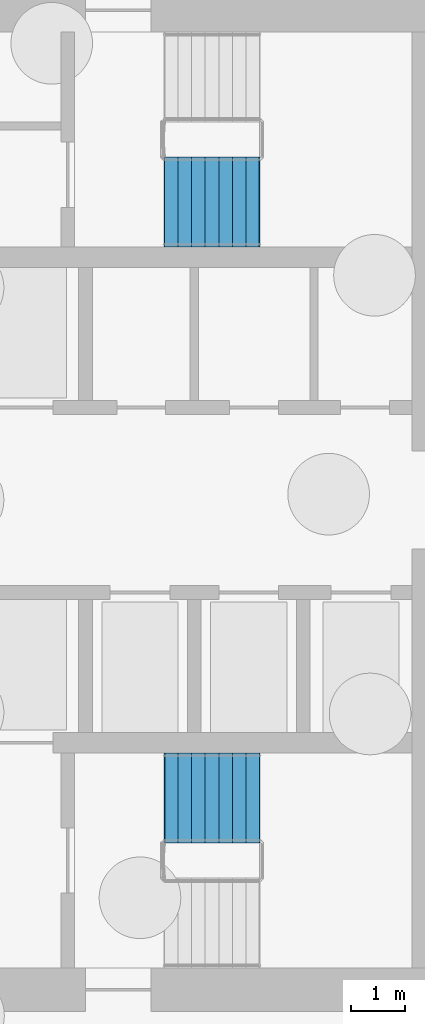
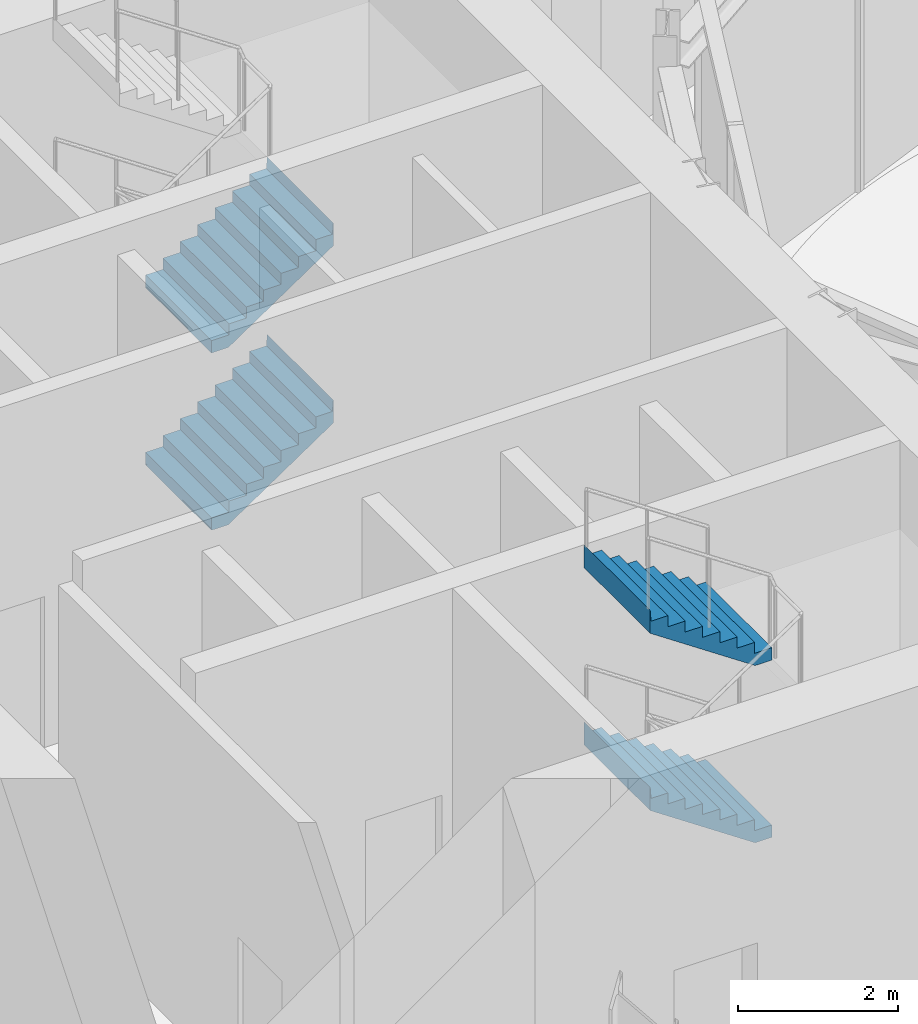
# One storey, part 33 of 41: 4 stair flights, 2 elements without a shape of their own.
"""IFC4 building model written with IfcOpenShell, lengths in metres."""

from ifc_helpers import new_model, si_unit, direction, frame, origin, place, context, subcontext, project, spatial, triangles, material, type_object, element, aggregate, save


model = new_model("IFC4")

# Units and contexts
model_context = context("Model", 3, precision=1e-05, world=origin(), true_north=direction((0.0, 1.0)))
body_context = subcontext(model_context, "Body", "Model", "MODEL_VIEW")
ifc_project = project(units=[si_unit("LENGTHUNIT", "METRE"), si_unit("AREAUNIT", "SQUARE_METRE"), si_unit("VOLUMEUNIT", "CUBIC_METRE"), si_unit("PLANEANGLEUNIT", "RADIAN"), si_unit("MASSUNIT", "GRAM", prefix="KILO")], contexts=[model_context])

# Site, building, storey
site_placement = place(None, origin())
site = spatial("IfcSite", under=ifc_project, at=site_placement, CompositionType="ELEMENT")
building_placement = place(site_placement, origin())
building = spatial("IfcBuilding", under=site, at=building_placement, Name="Maasbend Ring Residences", CompositionType="ELEMENT")
storey_placement = place(building_placement, origin())
storey = spatial("IfcBuildingStorey", under=building, at=storey_placement, Name="L00", CompositionType="ELEMENT", Elevation=0.0)

# Stair, stair flights
ifc_material_1 = material(Name="Concrete C40/50", Category="concrete")
stair_type = type_object("IfcStairType", Name="CORE STAIR 32 RISERS", PredefinedType="HALF_TURN_STAIR", material=ifc_material_1)
stair_1_placement = place(storey_placement, origin())
stair_1 = element("IfcStair", 1, at=stair_1_placement, inside=storey, type_object=stair_type, Name="L00 Exit stair ST-W1", PredefinedType="HALF_TURN_STAIR")
ifc_material_2 = material(Name="Concrete C40/50", Category="concrete")
stair_flight_type = type_object("IfcStairFlightType", Name="CORE STAIR FLIGHT 1650", PredefinedType="STRAIGHT", material=ifc_material_2)
stair_flight_1_placement = place(storey_placement, frame((-11.800048828125, -5.47509765625, 1.35009765625), z_axis=(0.0, 0.0, 1.0), x_axis=(-1.0, 0.0, 0.0)))
stair_flight_1 = element("IfcStairFlight", 2, at=stair_flight_1_placement, type_object=stair_flight_type, Name="ST-W1 flight 2", NumberOfRisers=8, NumberOfTreads=7, PredefinedType="STRAIGHT", RiserHeight=0.16875, TreadLength=0.25, context=body_context, shape_type="Tessellation", body=[
    triangles([(0.2412109375, 0.824951171875, -0.02001953125), (1.7529296875, 0.824951171875, 1.00048828125), (1.7529296875, 0.824951171875, 1.35009765625), (1.739990234375, 0.824951171875, 1.18115234375), (1.5, 0.824951171875, 1.18115234375), (1.5, 0.824951171875, 1.012451171875), (1.25, 0.824951171875, 1.012451171875), (1.25, 0.824951171875, 0.84375), (1.0, 0.824951171875, 0.84375), (1.0, 0.824951171875, 0.675048828125), (0.75, 0.824951171875, 0.675048828125), (0.75, 0.824951171875, 0.50634765625), (0.5, 0.824951171875, 0.50634765625), (0.5, 0.824951171875, 0.33740234375), (0.25, 0.824951171875, 0.33740234375), (0.25, 0.824951171875, 0.168701171875), (0.0, 0.824951171875, 0.168701171875), (0.0, 0.824951171875, 0.0), (-0.0029296875, 0.824951171875, 0.0), (-0.0029296875, 0.824951171875, -0.02001953125), (0.2412109375, 0.41259765625, -0.02001953125), (1.7529296875, 0.41259765625, 1.00048828125), (1.7529296875, 0.41259765625, 1.35009765625), (1.739990234375, 0.41259765625, 1.18115234375), (1.5, 0.41259765625, 1.18115234375), (1.5, 0.41259765625, 1.012451171875), (1.25, 0.41259765625, 1.012451171875), (1.25, 0.41259765625, 0.84375), (1.0, 0.41259765625, 0.84375), (1.0, 0.41259765625, 0.675048828125), (0.75, 0.41259765625, 0.675048828125), (0.75, 0.41259765625, 0.50634765625), (0.5, 0.41259765625, 0.50634765625), (0.5, 0.41259765625, 0.33740234375), (0.25, 0.41259765625, 0.33740234375), (0.25, 0.41259765625, 0.168701171875), (0.0, 0.41259765625, 0.168701171875), (0.0, 0.41259765625, 0.0), (-0.0029296875, 0.41259765625, 0.0), (-0.0029296875, 0.41259765625, -0.02001953125), (0.2412109375, 0.0, -0.02001953125), (1.7529296875, 0.0, 1.00048828125), (1.7529296875, 0.0, 1.35009765625), (1.739990234375, 0.0, 1.18115234375), (1.5, 0.0, 1.18115234375), (1.5, 0.0, 1.012451171875), (1.25, 0.0, 1.012451171875), (1.25, 0.0, 0.84375), (1.0, 0.0, 0.84375), (1.0, 0.0, 0.675048828125), (0.75, 0.0, 0.675048828125), (0.75, 0.0, 0.50634765625), (0.5, 0.0, 0.50634765625), (0.5, 0.0, 0.33740234375), (0.25, 0.0, 0.33740234375), (0.25, 0.0, 0.168701171875), (0.0, 0.0, 0.168701171875), (0.0, 0.0, 0.0), (-0.0029296875, 0.0, 0.0), (-0.0029296875, 0.0, -0.02001953125), (0.2412109375, -0.41259765625, -0.02001953125), (1.7529296875, -0.41259765625, 1.00048828125), (1.7529296875, -0.41259765625, 1.35009765625), (1.739990234375, -0.41259765625, 1.18115234375), (1.5, -0.41259765625, 1.18115234375), (1.5, -0.41259765625, 1.012451171875), (1.25, -0.41259765625, 1.012451171875), (1.25, -0.41259765625, 0.84375), (1.0, -0.41259765625, 0.84375), (1.0, -0.41259765625, 0.675048828125), (0.75, -0.41259765625, 0.675048828125), (0.75, -0.41259765625, 0.50634765625), (0.5, -0.41259765625, 0.50634765625), (0.5, -0.41259765625, 0.33740234375), (0.25, -0.41259765625, 0.33740234375), (0.25, -0.41259765625, 0.168701171875), (0.0, -0.41259765625, 0.168701171875), (0.0, -0.41259765625, 0.0), (-0.0029296875, -0.41259765625, 0.0), (-0.0029296875, -0.41259765625, -0.02001953125), (0.2412109375, -0.824951171875, -0.02001953125), (1.7529296875, -0.824951171875, 1.00048828125), (1.7529296875, -0.824951171875, 1.35009765625), (1.739990234375, -0.824951171875, 1.18115234375), (1.5, -0.824951171875, 1.18115234375), (1.5, -0.824951171875, 1.012451171875), (1.25, -0.824951171875, 1.012451171875), (1.25, -0.824951171875, 0.84375), (1.0, -0.824951171875, 0.84375), (1.0, -0.824951171875, 0.675048828125), (0.75, -0.824951171875, 0.675048828125), (0.75, -0.824951171875, 0.50634765625), (0.5, -0.824951171875, 0.50634765625), (0.5, -0.824951171875, 0.33740234375), (0.25, -0.824951171875, 0.33740234375), (0.25, -0.824951171875, 0.168701171875), (0.0, -0.824951171875, 0.168701171875), (0.0, -0.824951171875, 0.0), (-0.0029296875, -0.824951171875, 0.0), (-0.0029296875, -0.824951171875, -0.02001953125)], [[1, 2, 22], [1, 22, 21], [21, 22, 42], [21, 42, 41], [41, 42, 62], [41, 62, 61], [61, 62, 82], [61, 82, 81], [2, 3, 23], [2, 23, 22], [22, 23, 43], [22, 43, 42], [42, 43, 63], [42, 63, 62], [62, 63, 83], [62, 83, 82], [3, 4, 24], [3, 24, 23], [23, 24, 44], [23, 44, 43], [43, 44, 64], [43, 64, 63], [63, 64, 84], [63, 84, 83], [4, 5, 25], [4, 25, 24], [24, 25, 45], [24, 45, 44], [44, 45, 65], [44, 65, 64], [64, 65, 85], [64, 85, 84], [5, 6, 26], [5, 26, 25], [25, 26, 46], [25, 46, 45], [45, 46, 66], [45, 66, 65], [65, 66, 86], [65, 86, 85], [6, 7, 27], [6, 27, 26], [26, 27, 47], [26, 47, 46], [46, 47, 67], [46, 67, 66], [66, 67, 87], [66, 87, 86], [7, 8, 28], [7, 28, 27], [27, 28, 48], [27, 48, 47], [47, 48, 68], [47, 68, 67], [67, 68, 88], [67, 88, 87], [8, 9, 29], [8, 29, 28], [28, 29, 49], [28, 49, 48], [48, 49, 69], [48, 69, 68], [68, 69, 89], [68, 89, 88], [9, 10, 30], [9, 30, 29], [29, 30, 50], [29, 50, 49], [49, 50, 70], [49, 70, 69], [69, 70, 90], [69, 90, 89], [10, 11, 31], [10, 31, 30], [30, 31, 51], [30, 51, 50], [50, 51, 71], [50, 71, 70], [70, 71, 91], [70, 91, 90], [11, 12, 32], [11, 32, 31], [31, 32, 52], [31, 52, 51], [51, 52, 72], [51, 72, 71], [71, 72, 92], [71, 92, 91], [12, 13, 33], [12, 33, 32], [32, 33, 53], [32, 53, 52], [52, 53, 73], [52, 73, 72], [72, 73, 93], [72, 93, 92], [13, 14, 34], [13, 34, 33], [33, 34, 54], [33, 54, 53], [53, 54, 74], [53, 74, 73], [73, 74, 94], [73, 94, 93], [14, 15, 35], [14, 35, 34], [34, 35, 55], [34, 55, 54], [54, 55, 75], [54, 75, 74], [74, 75, 95], [74, 95, 94], [15, 16, 36], [15, 36, 35], [35, 36, 56], [35, 56, 55], [55, 56, 76], [55, 76, 75], [75, 76, 96], [75, 96, 95], [16, 17, 37], [16, 37, 36], [36, 37, 57], [36, 57, 56], [56, 57, 77], [56, 77, 76], [76, 77, 97], [76, 97, 96], [17, 18, 38], [17, 38, 37], [37, 38, 58], [37, 58, 57], [57, 58, 78], [57, 78, 77], [77, 78, 98], [77, 98, 97], [18, 19, 39], [18, 39, 38], [38, 39, 59], [38, 59, 58], [58, 59, 79], [58, 79, 78], [78, 79, 99], [78, 99, 98], [19, 20, 40], [19, 40, 39], [39, 40, 60], [39, 60, 59], [59, 60, 80], [59, 80, 79], [79, 80, 100], [79, 100, 99], [20, 1, 21], [20, 21, 40], [40, 21, 41], [40, 41, 60], [60, 41, 61], [60, 61, 80], [80, 61, 81], [80, 81, 100], [20, 2, 1], [2, 4, 3], [2, 5, 4], [2, 6, 5], [20, 6, 2], [6, 8, 7], [20, 8, 6], [8, 10, 9], [20, 10, 8], [10, 12, 11], [20, 12, 10], [12, 14, 13], [20, 14, 12], [14, 16, 15], [20, 16, 14], [16, 18, 17], [20, 18, 16], [18, 20, 19], [100, 81, 82], [82, 83, 84], [82, 84, 85], [82, 85, 86], [100, 82, 86], [86, 87, 88], [100, 86, 88], [88, 89, 90], [100, 88, 90], [90, 91, 92], [100, 90, 92], [92, 93, 94], [100, 92, 94], [94, 95, 96], [100, 94, 96], [96, 97, 98], [100, 96, 98], [98, 99, 100]], closed=True),
])
stair_flight_2_placement = place(storey_placement, frame((-11.800048828125, -5.47509765625, 4.050048828125), z_axis=(0.0, 0.0, 1.0), x_axis=(-1.0, 0.0, 0.0)))
stair_flight_2 = element("IfcStairFlight", 3, at=stair_flight_2_placement, type_object=stair_flight_type, Name="ST-W1 flight 4", NumberOfRisers=8, NumberOfTreads=7, PredefinedType="STRAIGHT", RiserHeight=0.16875, TreadLength=0.25, context=body_context, shape_type="Tessellation", body=[
    triangles([(0.2412109375, 0.824951171875, -0.02001953125), (1.7529296875, 0.824951171875, 1.00048828125), (1.7529296875, 0.824951171875, 1.35009765625), (1.739990234375, 0.824951171875, 1.18115234375), (1.5, 0.824951171875, 1.18115234375), (1.5, 0.824951171875, 1.012451171875), (1.25, 0.824951171875, 1.012451171875), (1.25, 0.824951171875, 0.84375), (1.0, 0.824951171875, 0.84375), (1.0, 0.824951171875, 0.675048828125), (0.75, 0.824951171875, 0.675048828125), (0.75, 0.824951171875, 0.50634765625), (0.5, 0.824951171875, 0.50634765625), (0.5, 0.824951171875, 0.33740234375), (0.25, 0.824951171875, 0.33740234375), (0.25, 0.824951171875, 0.168701171875), (0.0, 0.824951171875, 0.168701171875), (0.0, 0.824951171875, 0.0), (-0.0029296875, 0.824951171875, 0.0), (-0.0029296875, 0.824951171875, -0.02001953125), (0.2412109375, 0.41259765625, -0.02001953125), (1.7529296875, 0.41259765625, 1.00048828125), (1.7529296875, 0.41259765625, 1.35009765625), (1.739990234375, 0.41259765625, 1.18115234375), (1.5, 0.41259765625, 1.18115234375), (1.5, 0.41259765625, 1.012451171875), (1.25, 0.41259765625, 1.012451171875), (1.25, 0.41259765625, 0.84375), (1.0, 0.41259765625, 0.84375), (1.0, 0.41259765625, 0.675048828125), (0.75, 0.41259765625, 0.675048828125), (0.75, 0.41259765625, 0.50634765625), (0.5, 0.41259765625, 0.50634765625), (0.5, 0.41259765625, 0.33740234375), (0.25, 0.41259765625, 0.33740234375), (0.25, 0.41259765625, 0.168701171875), (0.0, 0.41259765625, 0.168701171875), (0.0, 0.41259765625, 0.0), (-0.0029296875, 0.41259765625, 0.0), (-0.0029296875, 0.41259765625, -0.02001953125), (0.2412109375, 0.0, -0.02001953125), (1.7529296875, 0.0, 1.00048828125), (1.7529296875, 0.0, 1.35009765625), (1.739990234375, 0.0, 1.18115234375), (1.5, 0.0, 1.18115234375), (1.5, 0.0, 1.012451171875), (1.25, 0.0, 1.012451171875), (1.25, 0.0, 0.84375), (1.0, 0.0, 0.84375), (1.0, 0.0, 0.675048828125), (0.75, 0.0, 0.675048828125), (0.75, 0.0, 0.50634765625), (0.5, 0.0, 0.50634765625), (0.5, 0.0, 0.33740234375), (0.25, 0.0, 0.33740234375), (0.25, 0.0, 0.168701171875), (0.0, 0.0, 0.168701171875), (0.0, 0.0, 0.0), (-0.0029296875, 0.0, 0.0), (-0.0029296875, 0.0, -0.02001953125), (0.2412109375, -0.41259765625, -0.02001953125), (1.7529296875, -0.41259765625, 1.00048828125), (1.7529296875, -0.41259765625, 1.35009765625), (1.739990234375, -0.41259765625, 1.18115234375), (1.5, -0.41259765625, 1.18115234375), (1.5, -0.41259765625, 1.012451171875), (1.25, -0.41259765625, 1.012451171875), (1.25, -0.41259765625, 0.84375), (1.0, -0.41259765625, 0.84375), (1.0, -0.41259765625, 0.675048828125), (0.75, -0.41259765625, 0.675048828125), (0.75, -0.41259765625, 0.50634765625), (0.5, -0.41259765625, 0.50634765625), (0.5, -0.41259765625, 0.33740234375), (0.25, -0.41259765625, 0.33740234375), (0.25, -0.41259765625, 0.168701171875), (0.0, -0.41259765625, 0.168701171875), (0.0, -0.41259765625, 0.0), (-0.0029296875, -0.41259765625, 0.0), (-0.0029296875, -0.41259765625, -0.02001953125), (0.2412109375, -0.824951171875, -0.02001953125), (1.7529296875, -0.824951171875, 1.00048828125), (1.7529296875, -0.824951171875, 1.35009765625), (1.739990234375, -0.824951171875, 1.18115234375), (1.5, -0.824951171875, 1.18115234375), (1.5, -0.824951171875, 1.012451171875), (1.25, -0.824951171875, 1.012451171875), (1.25, -0.824951171875, 0.84375), (1.0, -0.824951171875, 0.84375), (1.0, -0.824951171875, 0.675048828125), (0.75, -0.824951171875, 0.675048828125), (0.75, -0.824951171875, 0.50634765625), (0.5, -0.824951171875, 0.50634765625), (0.5, -0.824951171875, 0.33740234375), (0.25, -0.824951171875, 0.33740234375), (0.25, -0.824951171875, 0.168701171875), (0.0, -0.824951171875, 0.168701171875), (0.0, -0.824951171875, 0.0), (-0.0029296875, -0.824951171875, 0.0), (-0.0029296875, -0.824951171875, -0.02001953125)], [[1, 2, 22], [1, 22, 21], [21, 22, 42], [21, 42, 41], [41, 42, 62], [41, 62, 61], [61, 62, 82], [61, 82, 81], [2, 3, 23], [2, 23, 22], [22, 23, 43], [22, 43, 42], [42, 43, 63], [42, 63, 62], [62, 63, 83], [62, 83, 82], [3, 4, 24], [3, 24, 23], [23, 24, 44], [23, 44, 43], [43, 44, 64], [43, 64, 63], [63, 64, 84], [63, 84, 83], [4, 5, 25], [4, 25, 24], [24, 25, 45], [24, 45, 44], [44, 45, 65], [44, 65, 64], [64, 65, 85], [64, 85, 84], [5, 6, 26], [5, 26, 25], [25, 26, 46], [25, 46, 45], [45, 46, 66], [45, 66, 65], [65, 66, 86], [65, 86, 85], [6, 7, 27], [6, 27, 26], [26, 27, 47], [26, 47, 46], [46, 47, 67], [46, 67, 66], [66, 67, 87], [66, 87, 86], [7, 8, 28], [7, 28, 27], [27, 28, 48], [27, 48, 47], [47, 48, 68], [47, 68, 67], [67, 68, 88], [67, 88, 87], [8, 9, 29], [8, 29, 28], [28, 29, 49], [28, 49, 48], [48, 49, 69], [48, 69, 68], [68, 69, 89], [68, 89, 88], [9, 10, 30], [9, 30, 29], [29, 30, 50], [29, 50, 49], [49, 50, 70], [49, 70, 69], [69, 70, 90], [69, 90, 89], [10, 11, 31], [10, 31, 30], [30, 31, 51], [30, 51, 50], [50, 51, 71], [50, 71, 70], [70, 71, 91], [70, 91, 90], [11, 12, 32], [11, 32, 31], [31, 32, 52], [31, 52, 51], [51, 52, 72], [51, 72, 71], [71, 72, 92], [71, 92, 91], [12, 13, 33], [12, 33, 32], [32, 33, 53], [32, 53, 52], [52, 53, 73], [52, 73, 72], [72, 73, 93], [72, 93, 92], [13, 14, 34], [13, 34, 33], [33, 34, 54], [33, 54, 53], [53, 54, 74], [53, 74, 73], [73, 74, 94], [73, 94, 93], [14, 15, 35], [14, 35, 34], [34, 35, 55], [34, 55, 54], [54, 55, 75], [54, 75, 74], [74, 75, 95], [74, 95, 94], [15, 16, 36], [15, 36, 35], [35, 36, 56], [35, 56, 55], [55, 56, 76], [55, 76, 75], [75, 76, 96], [75, 96, 95], [16, 17, 37], [16, 37, 36], [36, 37, 57], [36, 57, 56], [56, 57, 77], [56, 77, 76], [76, 77, 97], [76, 97, 96], [17, 18, 38], [17, 38, 37], [37, 38, 58], [37, 58, 57], [57, 58, 78], [57, 78, 77], [77, 78, 98], [77, 98, 97], [18, 19, 39], [18, 39, 38], [38, 39, 59], [38, 59, 58], [58, 59, 79], [58, 79, 78], [78, 79, 99], [78, 99, 98], [19, 20, 40], [19, 40, 39], [39, 40, 60], [39, 60, 59], [59, 60, 80], [59, 80, 79], [79, 80, 100], [79, 100, 99], [20, 1, 21], [20, 21, 40], [40, 21, 41], [40, 41, 60], [60, 41, 61], [60, 61, 80], [80, 61, 81], [80, 81, 100], [20, 2, 1], [2, 4, 3], [2, 5, 4], [2, 6, 5], [20, 6, 2], [6, 8, 7], [20, 8, 6], [8, 10, 9], [20, 10, 8], [10, 12, 11], [20, 12, 10], [12, 14, 13], [20, 14, 12], [14, 16, 15], [20, 16, 14], [16, 18, 17], [20, 18, 16], [18, 20, 19], [100, 81, 82], [82, 83, 84], [82, 84, 85], [82, 85, 86], [100, 82, 86], [86, 87, 88], [100, 86, 88], [88, 89, 90], [100, 88, 90], [90, 91, 92], [100, 90, 92], [92, 93, 94], [100, 92, 94], [94, 95, 96], [100, 94, 96], [96, 97, 98], [100, 96, 98], [98, 99, 100]], closed=True),
])
aggregate(stair_1, [stair_flight_1, stair_flight_2])

stair_2_placement = place(storey_placement, origin())
stair_2 = element("IfcStair", 4, at=stair_2_placement, inside=storey, type_object=stair_type, Name="L00 Exit stair ST-W2", PredefinedType="HALF_TURN_STAIR")
stair_flight_3_placement = place(storey_placement, frame((-13.550048828125, 5.47509765625, 0.0), z_axis=(0.0, 0.0, 1.0), x_axis=(1.0, 0.0, 0.0)))
stair_flight_3 = element("IfcStairFlight", 5, at=stair_flight_3_placement, type_object=stair_flight_type, Name="ST-W2 flight 1", NumberOfRisers=8, NumberOfTreads=7, PredefinedType="STRAIGHT", RiserHeight=0.16875, TreadLength=0.25, context=body_context, shape_type="Tessellation", body=[
    triangles([(0.2412109375, 0.824951171875, -0.02001953125), (1.7529296875, 0.824951171875, 1.00048828125), (1.7529296875, 0.824951171875, 1.35009765625), (1.739990234375, 0.824951171875, 1.18115234375), (1.5, 0.824951171875, 1.18115234375), (1.5, 0.824951171875, 1.012451171875), (1.25, 0.824951171875, 1.012451171875), (1.25, 0.824951171875, 0.84375), (1.0, 0.824951171875, 0.84375), (1.0, 0.824951171875, 0.675048828125), (0.75, 0.824951171875, 0.675048828125), (0.75, 0.824951171875, 0.50634765625), (0.5, 0.824951171875, 0.50634765625), (0.5, 0.824951171875, 0.33740234375), (0.25, 0.824951171875, 0.33740234375), (0.25, 0.824951171875, 0.168701171875), (0.0, 0.824951171875, 0.168701171875), (0.0, 0.824951171875, 0.0), (-0.0029296875, 0.824951171875, 0.0), (-0.0029296875, 0.824951171875, -0.02001953125), (0.2412109375, 0.41259765625, -0.02001953125), (1.7529296875, 0.41259765625, 1.00048828125), (1.7529296875, 0.41259765625, 1.35009765625), (1.739990234375, 0.41259765625, 1.18115234375), (1.5, 0.41259765625, 1.18115234375), (1.5, 0.41259765625, 1.012451171875), (1.25, 0.41259765625, 1.012451171875), (1.25, 0.41259765625, 0.84375), (1.0, 0.41259765625, 0.84375), (1.0, 0.41259765625, 0.675048828125), (0.75, 0.41259765625, 0.675048828125), (0.75, 0.41259765625, 0.50634765625), (0.5, 0.41259765625, 0.50634765625), (0.5, 0.41259765625, 0.33740234375), (0.25, 0.41259765625, 0.33740234375), (0.25, 0.41259765625, 0.168701171875), (0.0, 0.41259765625, 0.168701171875), (0.0, 0.41259765625, 0.0), (-0.0029296875, 0.41259765625, 0.0), (-0.0029296875, 0.41259765625, -0.02001953125), (0.2412109375, 0.0, -0.02001953125), (1.7529296875, 0.0, 1.00048828125), (1.7529296875, 0.0, 1.35009765625), (1.739990234375, 0.0, 1.18115234375), (1.5, 0.0, 1.18115234375), (1.5, 0.0, 1.012451171875), (1.25, 0.0, 1.012451171875), (1.25, 0.0, 0.84375), (1.0, 0.0, 0.84375), (1.0, 0.0, 0.675048828125), (0.75, 0.0, 0.675048828125), (0.75, 0.0, 0.50634765625), (0.5, 0.0, 0.50634765625), (0.5, 0.0, 0.33740234375), (0.25, 0.0, 0.33740234375), (0.25, 0.0, 0.168701171875), (0.0, 0.0, 0.168701171875), (0.0, 0.0, 0.0), (-0.0029296875, 0.0, 0.0), (-0.0029296875, 0.0, -0.02001953125), (0.2412109375, -0.41259765625, -0.02001953125), (1.7529296875, -0.41259765625, 1.00048828125), (1.7529296875, -0.41259765625, 1.35009765625), (1.739990234375, -0.41259765625, 1.18115234375), (1.5, -0.41259765625, 1.18115234375), (1.5, -0.41259765625, 1.012451171875), (1.25, -0.41259765625, 1.012451171875), (1.25, -0.41259765625, 0.84375), (1.0, -0.41259765625, 0.84375), (1.0, -0.41259765625, 0.675048828125), (0.75, -0.41259765625, 0.675048828125), (0.75, -0.41259765625, 0.50634765625), (0.5, -0.41259765625, 0.50634765625), (0.5, -0.41259765625, 0.33740234375), (0.25, -0.41259765625, 0.33740234375), (0.25, -0.41259765625, 0.168701171875), (0.0, -0.41259765625, 0.168701171875), (0.0, -0.41259765625, 0.0), (-0.0029296875, -0.41259765625, 0.0), (-0.0029296875, -0.41259765625, -0.02001953125), (0.2412109375, -0.824951171875, -0.02001953125), (1.7529296875, -0.824951171875, 1.00048828125), (1.7529296875, -0.824951171875, 1.35009765625), (1.739990234375, -0.824951171875, 1.18115234375), (1.5, -0.824951171875, 1.18115234375), (1.5, -0.824951171875, 1.012451171875), (1.25, -0.824951171875, 1.012451171875), (1.25, -0.824951171875, 0.84375), (1.0, -0.824951171875, 0.84375), (1.0, -0.824951171875, 0.675048828125), (0.75, -0.824951171875, 0.675048828125), (0.75, -0.824951171875, 0.50634765625), (0.5, -0.824951171875, 0.50634765625), (0.5, -0.824951171875, 0.33740234375), (0.25, -0.824951171875, 0.33740234375), (0.25, -0.824951171875, 0.168701171875), (0.0, -0.824951171875, 0.168701171875), (0.0, -0.824951171875, 0.0), (-0.0029296875, -0.824951171875, 0.0), (-0.0029296875, -0.824951171875, -0.02001953125)], [[1, 2, 22], [1, 22, 21], [21, 22, 42], [21, 42, 41], [41, 42, 62], [41, 62, 61], [61, 62, 82], [61, 82, 81], [2, 3, 23], [2, 23, 22], [22, 23, 43], [22, 43, 42], [42, 43, 63], [42, 63, 62], [62, 63, 83], [62, 83, 82], [3, 4, 24], [3, 24, 23], [23, 24, 44], [23, 44, 43], [43, 44, 64], [43, 64, 63], [63, 64, 84], [63, 84, 83], [4, 5, 25], [4, 25, 24], [24, 25, 45], [24, 45, 44], [44, 45, 65], [44, 65, 64], [64, 65, 85], [64, 85, 84], [5, 6, 26], [5, 26, 25], [25, 26, 46], [25, 46, 45], [45, 46, 66], [45, 66, 65], [65, 66, 86], [65, 86, 85], [6, 7, 27], [6, 27, 26], [26, 27, 47], [26, 47, 46], [46, 47, 67], [46, 67, 66], [66, 67, 87], [66, 87, 86], [7, 8, 28], [7, 28, 27], [27, 28, 48], [27, 48, 47], [47, 48, 68], [47, 68, 67], [67, 68, 88], [67, 88, 87], [8, 9, 29], [8, 29, 28], [28, 29, 49], [28, 49, 48], [48, 49, 69], [48, 69, 68], [68, 69, 89], [68, 89, 88], [9, 10, 30], [9, 30, 29], [29, 30, 50], [29, 50, 49], [49, 50, 70], [49, 70, 69], [69, 70, 90], [69, 90, 89], [10, 11, 31], [10, 31, 30], [30, 31, 51], [30, 51, 50], [50, 51, 71], [50, 71, 70], [70, 71, 91], [70, 91, 90], [11, 12, 32], [11, 32, 31], [31, 32, 52], [31, 52, 51], [51, 52, 72], [51, 72, 71], [71, 72, 92], [71, 92, 91], [12, 13, 33], [12, 33, 32], [32, 33, 53], [32, 53, 52], [52, 53, 73], [52, 73, 72], [72, 73, 93], [72, 93, 92], [13, 14, 34], [13, 34, 33], [33, 34, 54], [33, 54, 53], [53, 54, 74], [53, 74, 73], [73, 74, 94], [73, 94, 93], [14, 15, 35], [14, 35, 34], [34, 35, 55], [34, 55, 54], [54, 55, 75], [54, 75, 74], [74, 75, 95], [74, 95, 94], [15, 16, 36], [15, 36, 35], [35, 36, 56], [35, 56, 55], [55, 56, 76], [55, 76, 75], [75, 76, 96], [75, 96, 95], [16, 17, 37], [16, 37, 36], [36, 37, 57], [36, 57, 56], [56, 57, 77], [56, 77, 76], [76, 77, 97], [76, 97, 96], [17, 18, 38], [17, 38, 37], [37, 38, 58], [37, 58, 57], [57, 58, 78], [57, 78, 77], [77, 78, 98], [77, 98, 97], [18, 19, 39], [18, 39, 38], [38, 39, 59], [38, 59, 58], [58, 59, 79], [58, 79, 78], [78, 79, 99], [78, 99, 98], [19, 20, 40], [19, 40, 39], [39, 40, 60], [39, 60, 59], [59, 60, 80], [59, 80, 79], [79, 80, 100], [79, 100, 99], [20, 1, 21], [20, 21, 40], [40, 21, 41], [40, 41, 60], [60, 41, 61], [60, 61, 80], [80, 61, 81], [80, 81, 100], [20, 2, 1], [2, 4, 3], [2, 5, 4], [2, 6, 5], [20, 6, 2], [6, 8, 7], [20, 8, 6], [8, 10, 9], [20, 10, 8], [10, 12, 11], [20, 12, 10], [12, 14, 13], [20, 14, 12], [14, 16, 15], [20, 16, 14], [16, 18, 17], [20, 18, 16], [18, 20, 19], [100, 81, 82], [82, 83, 84], [82, 84, 85], [82, 85, 86], [100, 82, 86], [86, 87, 88], [100, 86, 88], [88, 89, 90], [100, 88, 90], [90, 91, 92], [100, 90, 92], [92, 93, 94], [100, 92, 94], [94, 95, 96], [100, 94, 96], [96, 97, 98], [100, 96, 98], [98, 99, 100]], closed=True),
])
stair_flight_4_placement = place(storey_placement, frame((-13.550048828125, 5.47509765625, 2.699951171875), z_axis=(0.0, 0.0, 1.0), x_axis=(1.0, 0.0, 0.0)))
stair_flight_4 = element("IfcStairFlight", 6, at=stair_flight_4_placement, type_object=stair_flight_type, Name="ST-W2 flight 3", NumberOfRisers=8, NumberOfTreads=7, PredefinedType="STRAIGHT", RiserHeight=0.16875, TreadLength=0.25, context=body_context, shape_type="Tessellation", body=[
    triangles([(0.2412109375, 0.824951171875, -0.02001953125), (1.7529296875, 0.824951171875, 1.00048828125), (1.7529296875, 0.824951171875, 1.35009765625), (1.739990234375, 0.824951171875, 1.18115234375), (1.5, 0.824951171875, 1.18115234375), (1.5, 0.824951171875, 1.012451171875), (1.25, 0.824951171875, 1.012451171875), (1.25, 0.824951171875, 0.84375), (1.0, 0.824951171875, 0.84375), (1.0, 0.824951171875, 0.675048828125), (0.75, 0.824951171875, 0.675048828125), (0.75, 0.824951171875, 0.50634765625), (0.5, 0.824951171875, 0.50634765625), (0.5, 0.824951171875, 0.33740234375), (0.25, 0.824951171875, 0.33740234375), (0.25, 0.824951171875, 0.168701171875), (0.0, 0.824951171875, 0.168701171875), (0.0, 0.824951171875, 0.0), (-0.0029296875, 0.824951171875, 0.0), (-0.0029296875, 0.824951171875, -0.02001953125), (0.2412109375, 0.41259765625, -0.02001953125), (1.7529296875, 0.41259765625, 1.00048828125), (1.7529296875, 0.41259765625, 1.35009765625), (1.739990234375, 0.41259765625, 1.18115234375), (1.5, 0.41259765625, 1.18115234375), (1.5, 0.41259765625, 1.012451171875), (1.25, 0.41259765625, 1.012451171875), (1.25, 0.41259765625, 0.84375), (1.0, 0.41259765625, 0.84375), (1.0, 0.41259765625, 0.675048828125), (0.75, 0.41259765625, 0.675048828125), (0.75, 0.41259765625, 0.50634765625), (0.5, 0.41259765625, 0.50634765625), (0.5, 0.41259765625, 0.33740234375), (0.25, 0.41259765625, 0.33740234375), (0.25, 0.41259765625, 0.168701171875), (0.0, 0.41259765625, 0.168701171875), (0.0, 0.41259765625, 0.0), (-0.0029296875, 0.41259765625, 0.0), (-0.0029296875, 0.41259765625, -0.02001953125), (0.2412109375, 0.0, -0.02001953125), (1.7529296875, 0.0, 1.00048828125), (1.7529296875, 0.0, 1.35009765625), (1.739990234375, 0.0, 1.18115234375), (1.5, 0.0, 1.18115234375), (1.5, 0.0, 1.012451171875), (1.25, 0.0, 1.012451171875), (1.25, 0.0, 0.84375), (1.0, 0.0, 0.84375), (1.0, 0.0, 0.675048828125), (0.75, 0.0, 0.675048828125), (0.75, 0.0, 0.50634765625), (0.5, 0.0, 0.50634765625), (0.5, 0.0, 0.33740234375), (0.25, 0.0, 0.33740234375), (0.25, 0.0, 0.168701171875), (0.0, 0.0, 0.168701171875), (0.0, 0.0, 0.0), (-0.0029296875, 0.0, 0.0), (-0.0029296875, 0.0, -0.02001953125), (0.2412109375, -0.41259765625, -0.02001953125), (1.7529296875, -0.41259765625, 1.00048828125), (1.7529296875, -0.41259765625, 1.35009765625), (1.739990234375, -0.41259765625, 1.18115234375), (1.5, -0.41259765625, 1.18115234375), (1.5, -0.41259765625, 1.012451171875), (1.25, -0.41259765625, 1.012451171875), (1.25, -0.41259765625, 0.84375), (1.0, -0.41259765625, 0.84375), (1.0, -0.41259765625, 0.675048828125), (0.75, -0.41259765625, 0.675048828125), (0.75, -0.41259765625, 0.50634765625), (0.5, -0.41259765625, 0.50634765625), (0.5, -0.41259765625, 0.33740234375), (0.25, -0.41259765625, 0.33740234375), (0.25, -0.41259765625, 0.168701171875), (0.0, -0.41259765625, 0.168701171875), (0.0, -0.41259765625, 0.0), (-0.0029296875, -0.41259765625, 0.0), (-0.0029296875, -0.41259765625, -0.02001953125), (0.2412109375, -0.824951171875, -0.02001953125), (1.7529296875, -0.824951171875, 1.00048828125), (1.7529296875, -0.824951171875, 1.35009765625), (1.739990234375, -0.824951171875, 1.18115234375), (1.5, -0.824951171875, 1.18115234375), (1.5, -0.824951171875, 1.012451171875), (1.25, -0.824951171875, 1.012451171875), (1.25, -0.824951171875, 0.84375), (1.0, -0.824951171875, 0.84375), (1.0, -0.824951171875, 0.675048828125), (0.75, -0.824951171875, 0.675048828125), (0.75, -0.824951171875, 0.50634765625), (0.5, -0.824951171875, 0.50634765625), (0.5, -0.824951171875, 0.33740234375), (0.25, -0.824951171875, 0.33740234375), (0.25, -0.824951171875, 0.168701171875), (0.0, -0.824951171875, 0.168701171875), (0.0, -0.824951171875, 0.0), (-0.0029296875, -0.824951171875, 0.0), (-0.0029296875, -0.824951171875, -0.02001953125)], [[1, 2, 22], [1, 22, 21], [21, 22, 42], [21, 42, 41], [41, 42, 62], [41, 62, 61], [61, 62, 82], [61, 82, 81], [2, 3, 23], [2, 23, 22], [22, 23, 43], [22, 43, 42], [42, 43, 63], [42, 63, 62], [62, 63, 83], [62, 83, 82], [3, 4, 24], [3, 24, 23], [23, 24, 44], [23, 44, 43], [43, 44, 64], [43, 64, 63], [63, 64, 84], [63, 84, 83], [4, 5, 25], [4, 25, 24], [24, 25, 45], [24, 45, 44], [44, 45, 65], [44, 65, 64], [64, 65, 85], [64, 85, 84], [5, 6, 26], [5, 26, 25], [25, 26, 46], [25, 46, 45], [45, 46, 66], [45, 66, 65], [65, 66, 86], [65, 86, 85], [6, 7, 27], [6, 27, 26], [26, 27, 47], [26, 47, 46], [46, 47, 67], [46, 67, 66], [66, 67, 87], [66, 87, 86], [7, 8, 28], [7, 28, 27], [27, 28, 48], [27, 48, 47], [47, 48, 68], [47, 68, 67], [67, 68, 88], [67, 88, 87], [8, 9, 29], [8, 29, 28], [28, 29, 49], [28, 49, 48], [48, 49, 69], [48, 69, 68], [68, 69, 89], [68, 89, 88], [9, 10, 30], [9, 30, 29], [29, 30, 50], [29, 50, 49], [49, 50, 70], [49, 70, 69], [69, 70, 90], [69, 90, 89], [10, 11, 31], [10, 31, 30], [30, 31, 51], [30, 51, 50], [50, 51, 71], [50, 71, 70], [70, 71, 91], [70, 91, 90], [11, 12, 32], [11, 32, 31], [31, 32, 52], [31, 52, 51], [51, 52, 72], [51, 72, 71], [71, 72, 92], [71, 92, 91], [12, 13, 33], [12, 33, 32], [32, 33, 53], [32, 53, 52], [52, 53, 73], [52, 73, 72], [72, 73, 93], [72, 93, 92], [13, 14, 34], [13, 34, 33], [33, 34, 54], [33, 54, 53], [53, 54, 74], [53, 74, 73], [73, 74, 94], [73, 94, 93], [14, 15, 35], [14, 35, 34], [34, 35, 55], [34, 55, 54], [54, 55, 75], [54, 75, 74], [74, 75, 95], [74, 95, 94], [15, 16, 36], [15, 36, 35], [35, 36, 56], [35, 56, 55], [55, 56, 76], [55, 76, 75], [75, 76, 96], [75, 96, 95], [16, 17, 37], [16, 37, 36], [36, 37, 57], [36, 57, 56], [56, 57, 77], [56, 77, 76], [76, 77, 97], [76, 97, 96], [17, 18, 38], [17, 38, 37], [37, 38, 58], [37, 58, 57], [57, 58, 78], [57, 78, 77], [77, 78, 98], [77, 98, 97], [18, 19, 39], [18, 39, 38], [38, 39, 59], [38, 59, 58], [58, 59, 79], [58, 79, 78], [78, 79, 99], [78, 99, 98], [19, 20, 40], [19, 40, 39], [39, 40, 60], [39, 60, 59], [59, 60, 80], [59, 80, 79], [79, 80, 100], [79, 100, 99], [20, 1, 21], [20, 21, 40], [40, 21, 41], [40, 41, 60], [60, 41, 61], [60, 61, 80], [80, 61, 81], [80, 81, 100], [20, 2, 1], [2, 4, 3], [2, 5, 4], [2, 6, 5], [20, 6, 2], [6, 8, 7], [20, 8, 6], [8, 10, 9], [20, 10, 8], [10, 12, 11], [20, 12, 10], [12, 14, 13], [20, 14, 12], [14, 16, 15], [20, 16, 14], [16, 18, 17], [20, 18, 16], [18, 20, 19], [100, 81, 82], [82, 83, 84], [82, 84, 85], [82, 85, 86], [100, 82, 86], [86, 87, 88], [100, 86, 88], [88, 89, 90], [100, 88, 90], [90, 91, 92], [100, 90, 92], [92, 93, 94], [100, 92, 94], [94, 95, 96], [100, 94, 96], [96, 97, 98], [100, 96, 98], [98, 99, 100]], closed=True),
])
aggregate(stair_2, [stair_flight_3, stair_flight_4])

save(model, "model.ifc")
